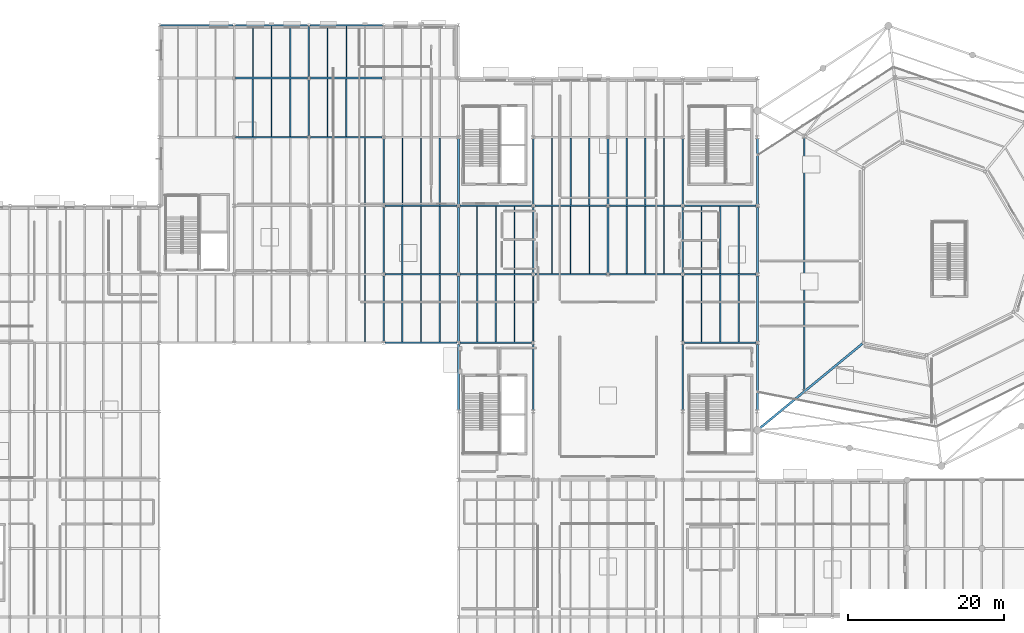
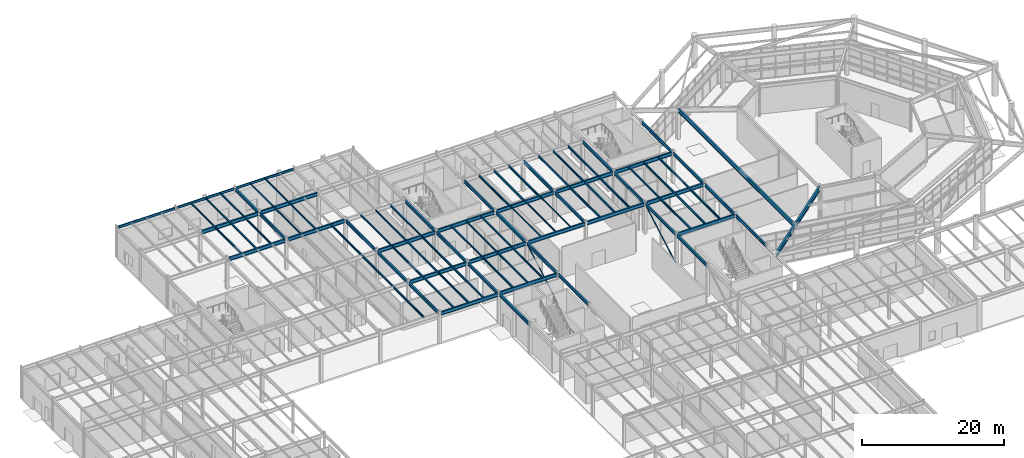
# One storey, part 24 of 70: 91 beams, 2 members.
"""IFC4 building model written with IfcOpenShell, lengths in metres."""

from ifc_helpers import new_model, si_unit, direction, frame, origin, origin_2d, place, context, subcontext, project, spatial, hollow_rectangle, hollow_circle, i_section, extrude, material, material_profile, profile_set, type_object, element, save


model = new_model("IFC4")

# Units and contexts
model_context = context("Model", 3, precision=1e-05, world=origin(), true_north=direction((0.0, 1.0)))
body_context = subcontext(model_context, "Body", "Model", "MODEL_VIEW")
ifc_project = project(units=[si_unit("LENGTHUNIT", "METRE"), si_unit("AREAUNIT", "SQUARE_METRE"), si_unit("VOLUMEUNIT", "CUBIC_METRE"), si_unit("PLANEANGLEUNIT", "RADIAN"), si_unit("MASSUNIT", "GRAM", prefix="KILO")], contexts=[model_context])

# Site, building, storey
site_placement = place(None, origin())
site = spatial("IfcSite", under=ifc_project, at=site_placement, CompositionType="ELEMENT")
building_placement = place(site_placement, origin())
building = spatial("IfcBuilding", under=site, at=building_placement, Name="Sarnbrook Museum", CompositionType="ELEMENT")
storey_placement = place(building_placement, origin())
storey = spatial("IfcBuildingStorey", under=building, at=storey_placement, Name="L00", CompositionType="ELEMENT", Elevation=0.0)

# Beams
ifc_material_1 = material(Name="Structural Steel Grade 300PLUS (AS/NZS 3679.1, fy = 280 MPa for 17 < t <= 40 mm, 300 MPa for t <= 17 mm)", Category="steel")
ifc_material_profile_1 = material_profile(ifc_material_1, i_section(OverallWidth=0.208984375, OverallDepth=0.532958984375, WebThickness=0.01025390625, FlangeThickness=0.015625, FilletRadius=0.013916015625, at=origin_2d()), Name="530UB92.4")
ifc_profile_set_1 = profile_set([ifc_material_profile_1], Name="Structural Steel Grade 300PLUS (AS/NZS 3679.1, fy = 280 MPa for 17 < t <= 40 mm, 300 MPa for t <= 17 mm)")
beam_type_1 = type_object("IfcBeamType", Name="BM-UB530", PredefinedType="BEAM", material=ifc_profile_set_1)
beam_1_placement = place(storey_placement, frame((61.60009765625, 100.990966796875, 5.013427734375), z_axis=(0.0, 1.0, 0.0), x_axis=(-1.0, 0.0, 0.0)))
element("IfcBeam", 1, at=beam_1_placement, inside=storey, type_object=beam_type_1, Name="Girder 7:M-N L00", PredefinedType="BEAM", context=body_context, shape_type="SweptSolid", body=[
    extrude(i_section(OverallWidth=0.208984375, OverallDepth=0.532958984375, WebThickness=0.01025390625, FlangeThickness=0.015625, FilletRadius=0.013916015625, at=origin_2d()), origin(), (0.0, 0.0, 1.0), 7.218017578125),
])
beam_2_placement = place(storey_placement, frame((61.60009765625, 108.591064453125, 5.013427734375), z_axis=(0.0, 1.0, 0.0), x_axis=(-1.0, 0.0, 0.0)))
element("IfcBeam", 2, at=beam_2_placement, inside=storey, type_object=beam_type_1, Name="Girder 7:N-P L00", PredefinedType="BEAM", context=body_context, shape_type="SweptSolid", body=[
    extrude(i_section(OverallWidth=0.208984375, OverallDepth=0.532958984375, WebThickness=0.01025390625, FlangeThickness=0.015625, FilletRadius=0.013916015625, at=origin_2d()), origin(), (0.0, 0.0, 1.0), 6.445556640625),
])
for number, where, z_axis, x_axis, name in (
    (3, (71.199951171875, 74.591064453125, 5.013427734375), (0.0, 1.0, 0.0), (-1.0, 0.0, 0.0), "Girder 8:J-K L00"),
    (4, (71.199951171875, 83.39111328125, 5.013427734375), (0.0, 1.0, 0.0), (-1.0, 0.0, 0.0), "Girder 8:K-L L00"),
    (5, (71.199951171875, 92.19091796875, 5.013427734375), (0.0, 1.0, 0.0), (-1.0, 0.0, 0.0), "Girder 8:L-M L00"),
    (6, (80.800048828125, 65.791015625, 5.08349609375), (0.0, 1.0, 0.0), (-1.0, 0.0, 0.0), "Girder 9:H-J L00"),
    (7, (80.800048828125, 74.591064453125, 5.013427734375), (0.0, 1.0, 0.0), (-1.0, 0.0, 0.0), "Girder 9:J-K L00"),
    (8, (80.800048828125, 83.39111328125, 5.013427734375), (0.0, 1.0, 0.0), (-1.0, 0.0, 0.0), "Girder 9:K-L L00"),
    (9, (80.800048828125, 92.19091796875, 5.013427734375), (0.0, 1.0, 0.0), (-1.0, 0.0, 0.0), "Girder 9:L-M L00"),
    (10, (90.39990234375, 65.791015625, 5.08349609375), (0.0, 1.0, 0.0), (-1.0, 0.0, 0.0), "Girder 10:H-J L00"),
    (11, (90.39990234375, 74.591064453125, 5.08349609375), (0.0, 1.0, 0.0), (-1.0, 0.0, 0.0), "Girder 10:J-K L00"),
    (12, (90.39990234375, 83.39111328125, 5.08349609375), (0.0, 1.0, 0.0), (-1.0, 0.0, 0.0), "Girder 10:K-L L00"),
    (13, (90.39990234375, 92.19091796875, 5.08349609375), (0.0, 1.0, 0.0), (-1.0, 0.0, 0.0), "Girder 10:L-M L00"),
    (14, (100.0, 83.39111328125, 5.08349609375), (0.0, 1.0, 0.0), (-1.0, 0.0, 0.0), "Girder 11:K-L L00"),
    (15, (100.0, 92.19091796875, 5.08349609375), (0.0, 1.0, 0.0), (-1.0, 0.0, 0.0), "Girder 11:L-M L00"),
    (16, (109.60009765625, 65.791015625, 5.08349609375), (0.0, 1.0, 0.0), (-1.0, 0.0, 0.0), "Girder 12:H-J L00"),
    (17, (109.60009765625, 74.591064453125, 5.08349609375), (0.0, 1.0, 0.0), (-1.0, 0.0, 0.0), "Girder 12:J-K L00"),
    (18, (109.60009765625, 83.39111328125, 5.08349609375), (0.0, 1.0, 0.0), (-1.0, 0.0, 0.0), "Girder 12:K-L L00"),
    (19, (109.60009765625, 92.19091796875, 5.08349609375), (0.0, 1.0, 0.0), (-1.0, 0.0, 0.0), "Girder 12:L-M L00"),
    (20, (119.199951171875, 65.791015625, 5.073486328125), (0.0, 1.0, 0.0), (-1.0, 0.0, 0.0), "Girder 13:H-J L00"),
    (21, (119.199951171875, 74.591064453125, 5.073486328125), (0.0, 1.0, 0.0), (-1.0, 0.0, 0.0), "Girder 13:J-K L00"),
    (22, (119.199951171875, 83.39111328125, 5.073486328125), (0.0, 1.0, 0.0), (-1.0, 0.0, 0.0), "Girder 13:K-L L00"),
    (23, (119.199951171875, 92.19091796875, 5.073486328125), (0.0, 1.0, 0.0), (-1.0, 0.0, 0.0), "Girder 13:L-M L00"),
):
    element("IfcBeam", number, at=place(storey_placement, frame(where, z_axis=z_axis, x_axis=x_axis)), inside=storey, type_object=beam_type_1, Name=name, PredefinedType="BEAM", context=body_context, shape_type="SweptSolid", body=[
        extrude(i_section(OverallWidth=0.208984375, OverallDepth=0.532958984375, WebThickness=0.01025390625, FlangeThickness=0.015625, FilletRadius=0.013916015625, at=origin_2d()), origin(), (0.0, 0.0, 1.0), 8.41796875),
    ])
ifc_material_profile_2 = material_profile(ifc_material_1, i_section(OverallWidth=0.22900390625, OverallDepth=0.612060546875, WebThickness=0.011962890625, FlangeThickness=0.01953125, FilletRadius=0.013916015625, at=origin_2d()), Name="610UB125")
ifc_profile_set_2 = profile_set([ifc_material_profile_2], Name="Structural Steel Grade 300PLUS (AS/NZS 3679.1, fy = 280 MPa for 17 < t <= 40 mm, 300 MPa for t <= 17 mm)")
beam_type_2 = type_object("IfcBeamType", Name="BM-UB610H", PredefinedType="BEAM", material=ifc_profile_set_2)
beam_3_placement = place(storey_placement, frame((71.39990234375, 74.39990234375, 4.97412109375), z_axis=(1.0, 0.0, 0.0), x_axis=(0.0, 1.0, 0.0)))
element("IfcBeam", 24, at=beam_3_placement, inside=storey, type_object=beam_type_2, Name="Girder J:8-9 L00", PredefinedType="BEAM", context=body_context, shape_type="SweptSolid", body=[
    extrude(i_section(OverallWidth=0.22900390625, OverallDepth=0.612060546875, WebThickness=0.011962890625, FlangeThickness=0.01953125, FilletRadius=0.013916015625, at=origin_2d()), origin(), (0.0, 0.0, 1.0), 9.2001953125),
])
for number, where, z_axis, x_axis, name in (
    (25, (81.0, 74.39990234375, 5.0439453125), (1.0, 0.0, 0.0), (0.0, 1.0, 0.0), "Girder J:9-10 L00"),
    (26, (109.800048828125, 74.39990234375, 5.0439453125), (1.0, 0.0, 0.0), (0.0, 1.0, 0.0), "Girder J:12-13 L00"),
):
    element("IfcBeam", number, at=place(storey_placement, frame(where, z_axis=z_axis, x_axis=x_axis)), inside=storey, type_object=beam_type_2, Name=name, PredefinedType="BEAM", context=body_context, shape_type="SweptSolid", body=[
        extrude(i_section(OverallWidth=0.22900390625, OverallDepth=0.612060546875, WebThickness=0.011962890625, FlangeThickness=0.01953125, FilletRadius=0.013916015625, at=origin_2d()), origin(), (0.0, 0.0, 1.0), 9.199951171875),
    ])
beam_4_placement = place(storey_placement, frame((71.39990234375, 83.199951171875, 4.97412109375), z_axis=(1.0, 0.0, 0.0), x_axis=(0.0, 1.0, 0.0)))
element("IfcBeam", 27, at=beam_4_placement, inside=storey, type_object=beam_type_2, Name="Girder K:8-9 L00", PredefinedType="BEAM", context=body_context, shape_type="SweptSolid", body=[
    extrude(i_section(OverallWidth=0.22900390625, OverallDepth=0.612060546875, WebThickness=0.011962890625, FlangeThickness=0.01953125, FilletRadius=0.013916015625, at=origin_2d()), origin(), (0.0, 0.0, 1.0), 9.2001953125),
])
for number, where, z_axis, x_axis, name in (
    (28, (81.0, 83.199951171875, 5.0439453125), (1.0, 0.0, 0.0), (0.0, 1.0, 0.0), "Girder K:9-10 L00"),
    (29, (90.60009765625, 83.199951171875, 5.0439453125), (1.0, 0.0, 0.0), (0.0, 1.0, 0.0), "Girder K:10-11 L00"),
    (30, (100.199951171875, 83.199951171875, 5.0439453125), (1.0, 0.0, 0.0), (0.0, 1.0, 0.0), "Girder K:11-12 L00"),
    (31, (109.800048828125, 83.199951171875, 5.0439453125), (1.0, 0.0, 0.0), (0.0, 1.0, 0.0), "Girder K:12-13 L00"),
):
    element("IfcBeam", number, at=place(storey_placement, frame(where, z_axis=z_axis, x_axis=x_axis)), inside=storey, type_object=beam_type_2, Name=name, PredefinedType="BEAM", context=body_context, shape_type="SweptSolid", body=[
        extrude(i_section(OverallWidth=0.22900390625, OverallDepth=0.612060546875, WebThickness=0.011962890625, FlangeThickness=0.01953125, FilletRadius=0.013916015625, at=origin_2d()), origin(), (0.0, 0.0, 1.0), 9.199951171875),
    ])
beam_5_placement = place(storey_placement, frame((71.39990234375, 92.0, 4.97412109375), z_axis=(1.0, 0.0, 0.0), x_axis=(0.0, 1.0, 0.0)))
element("IfcBeam", 32, at=beam_5_placement, inside=storey, type_object=beam_type_2, Name="Girder L:8-9 L00", PredefinedType="BEAM", context=body_context, shape_type="SweptSolid", body=[
    extrude(i_section(OverallWidth=0.22900390625, OverallDepth=0.612060546875, WebThickness=0.011962890625, FlangeThickness=0.01953125, FilletRadius=0.013916015625, at=origin_2d()), origin(), (0.0, 0.0, 1.0), 9.2001953125),
])
for number, where, z_axis, x_axis, name in (
    (33, (81.0, 92.0, 5.0439453125), (1.0, 0.0, 0.0), (0.0, 1.0, 0.0), "Girder L:9-10 L00"),
    (34, (90.60009765625, 92.0, 5.0439453125), (1.0, 0.0, 0.0), (0.0, 1.0, 0.0), "Girder L:10-11 L00"),
    (35, (100.199951171875, 92.0, 5.0439453125), (1.0, 0.0, 0.0), (0.0, 1.0, 0.0), "Girder L:11-12 L00"),
    (36, (109.800048828125, 92.0, 5.0439453125), (1.0, 0.0, 0.0), (0.0, 1.0, 0.0), "Girder L:12-13 L00"),
    (37, (52.199951171875, 100.800048828125, 4.97412109375), (1.0, 0.0, 0.0), (0.0, 1.0, 0.0), "Girder M:6-7 L00"),
    (38, (61.800048828125, 100.800048828125, 4.97412109375), (1.0, 0.0, 0.0), (0.0, 1.0, 0.0), "Girder M:7-8 L00"),
    (39, (52.199951171875, 108.39990234375, 4.97412109375), (1.0, 0.0, 0.0), (0.0, 1.0, 0.0), "Girder N:6-7 L00"),
    (40, (61.800048828125, 108.39990234375, 4.97412109375), (1.0, 0.0, 0.0), (0.0, 1.0, 0.0), "Girder N:7-8 L00"),
):
    element("IfcBeam", number, at=place(storey_placement, frame(where, z_axis=z_axis, x_axis=x_axis)), inside=storey, type_object=beam_type_2, Name=name, PredefinedType="BEAM", context=body_context, shape_type="SweptSolid", body=[
        extrude(i_section(OverallWidth=0.22900390625, OverallDepth=0.612060546875, WebThickness=0.011962890625, FlangeThickness=0.01953125, FilletRadius=0.013916015625, at=origin_2d()), origin(), (0.0, 0.0, 1.0), 9.199951171875),
    ])
ifc_material_2 = material(Name="Structural Steel Grade 350L0 (AS/NZS 3678, fy = 340 MPa for 20 < t <= 40 mm)", Category="steel")
ifc_material_profile_3 = material_profile(ifc_material_2, i_section(OverallWidth=0.25, OverallDepth=0.699951171875, WebThickness=0.010009765625, FlangeThickness=0.01611328125, at=origin_2d()), Name="700WB130")
ifc_profile_set_3 = profile_set([ifc_material_profile_3], Name="Structural Steel Grade 350L0 (AS/NZS 3678, fy = 340 MPa for 20 < t <= 40 mm)")
beam_type_3 = type_object("IfcBeamType", Name="BM-WB700", PredefinedType="BEAM", material=ifc_profile_set_3)
beam_6_placement = place(storey_placement, frame((125.199951171875, 100.780517578125, 4.989990234375), z_axis=(0.0, -1.0, 0.0), x_axis=(1.0, 0.0, 0.0)))
element("IfcBeam", 41, at=beam_6_placement, inside=storey, type_object=beam_type_3, Name="Crystal Hall R1 Ring Girder 7 L00", PredefinedType="BEAM", context=body_context, shape_type="SweptSolid", body=[
    extrude(i_section(OverallWidth=0.25, OverallDepth=0.699951171875, WebThickness=0.010009765625, FlangeThickness=0.01611328125, at=origin_2d()), origin(), (0.0, 0.0, 1.0), 32.47705078125),
])
ifc_material_profile_4 = material_profile(ifc_material_2, i_section(OverallWidth=0.27490234375, OverallDepth=0.800048828125, WebThickness=0.010009765625, FlangeThickness=0.01611328125, at=origin_2d()), Name="800WB146")
ifc_profile_set_4 = profile_set([ifc_material_profile_4], Name="Structural Steel Grade 350L0 (AS/NZS 3678, fy = 340 MPa for 20 < t <= 40 mm)")
beam_type_4 = type_object("IfcBeamType", Name="CR-CANT", PredefinedType="BEAM", material=ifc_profile_set_4)
beam_7_placement = place(storey_placement, frame((132.70751953125, 74.328857421875, 4.93994140625), z_axis=(-0.771786843469, -0.635881331891, 0.0), x_axis=(0.635881331891, -0.771786843469, 0.0)))
element("IfcBeam", 42, at=beam_7_placement, inside=storey, type_object=beam_type_4, Name="Crystal Hall Radial Cantilever Girder 1 L00", PredefinedType="BEAM", context=body_context, shape_type="SweptSolid", body=[
    extrude(i_section(OverallWidth=0.27490234375, OverallDepth=0.800048828125, WebThickness=0.010009765625, FlangeThickness=0.01611328125, at=origin_2d()), origin(), (0.0, 0.0, 1.0), 17.351318359375),
])
ifc_material_profile_5 = material_profile(ifc_material_1, i_section(OverallWidth=0.134033203125, OverallDepth=0.20703125, WebThickness=0.00634765625, FlangeThickness=0.009521484375, FilletRadius=0.0087890625, at=origin_2d()), Name="200UB29.8")
ifc_profile_set_5 = profile_set([ifc_material_profile_5], Name="Structural Steel Grade 300PLUS (AS/NZS 3679.1, fy = 280 MPa for 17 < t <= 40 mm, 300 MPa for t <= 17 mm)")
beam_type_5 = type_object("IfcBeamType", Name="JS-UB200", PredefinedType="JOIST", material=ifc_profile_set_5)
for number, where, z_axis, x_axis, name in (
    (43, (64.0, 108.514404296875, 5.176513671875), (0.0, 1.0, 0.0), (-1.0, 0.0, 0.0), "Composite Floor Joist 7N-1 L00"),
    (44, (66.39990234375, 108.514404296875, 5.176513671875), (0.0, 1.0, 0.0), (-1.0, 0.0, 0.0), "Composite Floor Joist 7N-2 L00"),
):
    element("IfcBeam", number, at=place(storey_placement, frame(where, z_axis=z_axis, x_axis=x_axis)), inside=storey, type_object=beam_type_5, Name=name, PredefinedType="JOIST", context=body_context, shape_type="SweptSolid", body=[
        extrude(i_section(OverallWidth=0.134033203125, OverallDepth=0.20703125, WebThickness=0.00634765625, FlangeThickness=0.009521484375, FilletRadius=0.0087890625, at=origin_2d()), origin(), (0.0, 0.0, 1.0), 6.5966796875),
    ])
for number, where, z_axis, x_axis, name in (
    (45, (92.800048828125, 83.314453125, 5.24658203125), (0.0, 1.0, 0.0), (-1.0, 0.0, 0.0), "Composite Floor Joist 10K-1 L00"),
    (46, (95.199951171875, 83.314453125, 5.24658203125), (0.0, 1.0, 0.0), (-1.0, 0.0, 0.0), "Composite Floor Joist 10K-2 L00"),
    (47, (97.60009765625, 83.314453125, 5.24658203125), (0.0, 1.0, 0.0), (-1.0, 0.0, 0.0), "Composite Floor Joist 10K-3 L00"),
):
    element("IfcBeam", number, at=place(storey_placement, frame(where, z_axis=z_axis, x_axis=x_axis)), inside=storey, type_object=beam_type_5, Name=name, PredefinedType="JOIST", context=body_context, shape_type="SweptSolid", body=[
        extrude(i_section(OverallWidth=0.134033203125, OverallDepth=0.20703125, WebThickness=0.00634765625, FlangeThickness=0.009521484375, FilletRadius=0.0087890625, at=origin_2d()), origin(), (0.0, 0.0, 1.0), 8.571044921875),
    ])
ifc_material_profile_6 = material_profile(ifc_material_1, i_section(OverallWidth=0.14599609375, OverallDepth=0.256103515625, WebThickness=0.00634765625, FlangeThickness=0.010986328125, FilletRadius=0.0087890625, at=origin_2d()), Name="250UB37.3")
ifc_profile_set_6 = profile_set([ifc_material_profile_6], Name="Structural Steel Grade 300PLUS (AS/NZS 3679.1, fy = 280 MPa for 17 < t <= 40 mm, 300 MPa for t <= 17 mm)")
beam_type_6 = type_object("IfcBeamType", Name="JS-UB250", PredefinedType="JOIST", material=ifc_profile_set_6)
for number, where, z_axis, x_axis, name in (
    (48, (54.39990234375, 108.514404296875, 5.152099609375), (0.0, 1.0, 0.0), (-1.0, 0.0, 0.0), "Composite Floor Joist 6N-1 L00"),
    (49, (56.800048828125, 108.514404296875, 5.152099609375), (0.0, 1.0, 0.0), (-1.0, 0.0, 0.0), "Composite Floor Joist 6N-2 L00"),
    (50, (59.199951171875, 108.514404296875, 5.152099609375), (0.0, 1.0, 0.0), (-1.0, 0.0, 0.0), "Composite Floor Joist 6N-3 L00"),
):
    element("IfcBeam", number, at=place(storey_placement, frame(where, z_axis=z_axis, x_axis=x_axis)), inside=storey, type_object=beam_type_6, Name=name, PredefinedType="JOIST", context=body_context, shape_type="SweptSolid", body=[
        extrude(i_section(OverallWidth=0.14599609375, OverallDepth=0.256103515625, WebThickness=0.00634765625, FlangeThickness=0.010986328125, FilletRadius=0.0087890625, at=origin_2d()), origin(), (0.0, 0.0, 1.0), 6.5966796875),
    ])
for number, where, z_axis, x_axis, name in (
    (51, (64.0, 100.91455078125, 5.152099609375), (0.0, 1.0, 0.0), (-1.0, 0.0, 0.0), "Composite Floor Joist 7M-1 L00"),
    (52, (66.39990234375, 100.91455078125, 5.152099609375), (0.0, 1.0, 0.0), (-1.0, 0.0, 0.0), "Composite Floor Joist 7M-2 L00"),
):
    element("IfcBeam", number, at=place(storey_placement, frame(where, z_axis=z_axis, x_axis=x_axis)), inside=storey, type_object=beam_type_6, Name=name, PredefinedType="JOIST", context=body_context, shape_type="SweptSolid", body=[
        extrude(i_section(OverallWidth=0.14599609375, OverallDepth=0.256103515625, WebThickness=0.00634765625, FlangeThickness=0.010986328125, FilletRadius=0.0087890625, at=origin_2d()), origin(), (0.0, 0.0, 1.0), 7.370849609375),
    ])
for number, where, z_axis, x_axis, name in (
    (53, (73.60009765625, 92.114501953125, 5.152099609375), (0.0, 1.0, 0.0), (-1.0, 0.0, 0.0), "Composite Floor Joist 8L-1 L00"),
    (54, (76.0, 92.114501953125, 5.152099609375), (0.0, 1.0, 0.0), (-1.0, 0.0, 0.0), "Composite Floor Joist 8L-2 L00"),
    (55, (78.39990234375, 92.114501953125, 5.152099609375), (0.0, 1.0, 0.0), (-1.0, 0.0, 0.0), "Composite Floor Joist 8L-3 L00"),
    (56, (83.199951171875, 83.314453125, 5.221923828125), (0.0, 1.0, 0.0), (-1.0, 0.0, 0.0), "Composite Floor Joist 9K-1 L00"),
    (57, (85.60009765625, 83.314453125, 5.221923828125), (0.0, 1.0, 0.0), (-1.0, 0.0, 0.0), "Composite Floor Joist 9K-2 L00"),
    (58, (88.0, 83.314453125, 5.221923828125), (0.0, 1.0, 0.0), (-1.0, 0.0, 0.0), "Composite Floor Joist 9K-3 L00"),
):
    element("IfcBeam", number, at=place(storey_placement, frame(where, z_axis=z_axis, x_axis=x_axis)), inside=storey, type_object=beam_type_6, Name=name, PredefinedType="JOIST", context=body_context, shape_type="SweptSolid", body=[
        extrude(i_section(OverallWidth=0.14599609375, OverallDepth=0.256103515625, WebThickness=0.00634765625, FlangeThickness=0.010986328125, FilletRadius=0.0087890625, at=origin_2d()), origin(), (0.0, 0.0, 1.0), 8.571044921875),
    ])
ifc_material_profile_7 = material_profile(ifc_material_1, i_section(OverallWidth=0.1650390625, OverallDepth=0.303955078125, WebThickness=0.006103515625, FlangeThickness=0.01025390625, FilletRadius=0.011474609375, at=origin_2d()), Name="310UB40.4")
ifc_profile_set_7 = profile_set([ifc_material_profile_7], Name="Structural Steel Grade 300PLUS (AS/NZS 3679.1, fy = 280 MPa for 17 < t <= 40 mm, 300 MPa for t <= 17 mm)")
beam_type_7 = type_object("IfcBeamType", Name="JS-UB310", PredefinedType="JOIST", material=ifc_profile_set_7)
for number, where, z_axis, x_axis, name in (
    (59, (54.39990234375, 100.91455078125, 5.1279296875), (0.0, 1.0, 0.0), (-1.0, 0.0, 0.0), "Composite Floor Joist 6M-1 L00"),
    (60, (56.800048828125, 100.91455078125, 5.1279296875), (0.0, 1.0, 0.0), (-1.0, 0.0, 0.0), "Composite Floor Joist 6M-2 L00"),
    (61, (59.199951171875, 100.91455078125, 5.1279296875), (0.0, 1.0, 0.0), (-1.0, 0.0, 0.0), "Composite Floor Joist 6M-3 L00"),
):
    element("IfcBeam", number, at=place(storey_placement, frame(where, z_axis=z_axis, x_axis=x_axis)), inside=storey, type_object=beam_type_7, Name=name, PredefinedType="JOIST", context=body_context, shape_type="SweptSolid", body=[
        extrude(i_section(OverallWidth=0.1650390625, OverallDepth=0.303955078125, WebThickness=0.006103515625, FlangeThickness=0.01025390625, FilletRadius=0.011474609375, at=origin_2d()), origin(), (0.0, 0.0, 1.0), 7.370849609375),
    ])
for number, where, z_axis, x_axis, name in (
    (62, (68.800048828125, 92.114501953125, 5.1279296875), (0.0, 1.0, 0.0), (-1.0, 0.0, 0.0), "Composite Floor Joist 7L-3 L00"),
    (63, (73.60009765625, 83.314453125, 5.1279296875), (0.0, 1.0, 0.0), (-1.0, 0.0, 0.0), "Composite Floor Joist 8K-1 L00"),
    (64, (76.0, 83.314453125, 5.1279296875), (0.0, 1.0, 0.0), (-1.0, 0.0, 0.0), "Composite Floor Joist 8K-2 L00"),
    (65, (78.39990234375, 83.314453125, 5.1279296875), (0.0, 1.0, 0.0), (-1.0, 0.0, 0.0), "Composite Floor Joist 8K-3 L00"),
    (66, (83.199951171875, 74.514404296875, 5.197998046875), (0.0, 1.0, 0.0), (-1.0, 0.0, 0.0), "Composite Floor Joist 9J-1 L00"),
    (67, (85.60009765625, 74.514404296875, 5.197998046875), (0.0, 1.0, 0.0), (-1.0, 0.0, 0.0), "Composite Floor Joist 9J-2 L00"),
    (68, (88.0, 74.514404296875, 5.197998046875), (0.0, 1.0, 0.0), (-1.0, 0.0, 0.0), "Composite Floor Joist 9J-3 L00"),
):
    element("IfcBeam", number, at=place(storey_placement, frame(where, z_axis=z_axis, x_axis=x_axis)), inside=storey, type_object=beam_type_7, Name=name, PredefinedType="JOIST", context=body_context, shape_type="SweptSolid", body=[
        extrude(i_section(OverallWidth=0.1650390625, OverallDepth=0.303955078125, WebThickness=0.006103515625, FlangeThickness=0.01025390625, FilletRadius=0.011474609375, at=origin_2d()), origin(), (0.0, 0.0, 1.0), 8.571044921875),
    ])
ifc_material_profile_8 = material_profile(ifc_material_1, i_section(OverallWidth=0.166015625, OverallDepth=0.306884765625, WebThickness=0.006591796875, FlangeThickness=0.01171875, FilletRadius=0.011474609375, at=origin_2d()), Name="310UB46.2")
ifc_profile_set_8 = profile_set([ifc_material_profile_8], Name="Structural Steel Grade 300PLUS (AS/NZS 3679.1, fy = 280 MPa for 17 < t <= 40 mm, 300 MPa for t <= 17 mm)")
beam_type_8 = type_object("IfcBeamType", Name="JS-UB310H", PredefinedType="JOIST", material=ifc_profile_set_8)
for number, where, z_axis, x_axis, name in (
    (69, (68.800048828125, 83.314453125, 5.12646484375), (0.0, 1.0, 0.0), (-1.0, 0.0, 0.0), "Composite Floor Joist 7K-3 L00"),
    (70, (73.60009765625, 74.514404296875, 5.12646484375), (0.0, 1.0, 0.0), (-1.0, 0.0, 0.0), "Composite Floor Joist 8J-1 L00"),
    (71, (76.0, 74.514404296875, 5.12646484375), (0.0, 1.0, 0.0), (-1.0, 0.0, 0.0), "Composite Floor Joist 8J-2 L00"),
    (72, (78.39990234375, 74.514404296875, 5.12646484375), (0.0, 1.0, 0.0), (-1.0, 0.0, 0.0), "Composite Floor Joist 8J-3 L00"),
    (73, (102.39990234375, 92.114501953125, 5.196533203125), (0.0, 1.0, 0.0), (-1.0, 0.0, 0.0), "Composite Floor Joist 11L-1 L00"),
    (74, (104.800048828125, 92.114501953125, 5.196533203125), (0.0, 1.0, 0.0), (-1.0, 0.0, 0.0), "Composite Floor Joist 11L-2 L00"),
    (75, (107.199951171875, 92.114501953125, 5.196533203125), (0.0, 1.0, 0.0), (-1.0, 0.0, 0.0), "Composite Floor Joist 11L-3 L00"),
    (76, (112.0, 83.314453125, 5.196533203125), (0.0, 1.0, 0.0), (-1.0, 0.0, 0.0), "Composite Floor Joist 12K-1 L00"),
    (77, (114.39990234375, 83.314453125, 5.196533203125), (0.0, 1.0, 0.0), (-1.0, 0.0, 0.0), "Composite Floor Joist 12K-2 L00"),
    (78, (116.800048828125, 83.314453125, 5.196533203125), (0.0, 1.0, 0.0), (-1.0, 0.0, 0.0), "Composite Floor Joist 12K-3 L00"),
):
    element("IfcBeam", number, at=place(storey_placement, frame(where, z_axis=z_axis, x_axis=x_axis)), inside=storey, type_object=beam_type_8, Name=name, PredefinedType="JOIST", context=body_context, shape_type="SweptSolid", body=[
        extrude(i_section(OverallWidth=0.166015625, OverallDepth=0.306884765625, WebThickness=0.006591796875, FlangeThickness=0.01171875, FilletRadius=0.011474609375, at=origin_2d()), origin(), (0.0, 0.0, 1.0), 8.571044921875),
    ])
ifc_material_profile_9 = material_profile(ifc_material_1, i_section(OverallWidth=0.1708984375, OverallDepth=0.35595703125, WebThickness=0.00732421875, FlangeThickness=0.011474609375, FilletRadius=0.011474609375, at=origin_2d()), Name="360UB50.7")
ifc_profile_set_9 = profile_set([ifc_material_profile_9], Name="Structural Steel Grade 300PLUS (AS/NZS 3679.1, fy = 280 MPa for 17 < t <= 40 mm, 300 MPa for t <= 17 mm)")
beam_type_9 = type_object("IfcBeamType", Name="JS-UB360", PredefinedType="JOIST", material=ifc_profile_set_9)
for number, where, z_axis, x_axis, name in (
    (79, (68.800048828125, 74.514404296875, 5.10205078125), (0.0, 1.0, 0.0), (-1.0, 0.0, 0.0), "Composite Floor Joist 7J-3 L00"),
    (80, (92.800048828125, 92.114501953125, 5.172119140625), (0.0, 1.0, 0.0), (-1.0, 0.0, 0.0), "Composite Floor Joist 10L-1 L00"),
    (81, (95.199951171875, 92.114501953125, 5.172119140625), (0.0, 1.0, 0.0), (-1.0, 0.0, 0.0), "Composite Floor Joist 10L-2 L00"),
    (82, (97.60009765625, 92.114501953125, 5.172119140625), (0.0, 1.0, 0.0), (-1.0, 0.0, 0.0), "Composite Floor Joist 10L-3 L00"),
    (83, (102.39990234375, 83.314453125, 5.172119140625), (0.0, 1.0, 0.0), (-1.0, 0.0, 0.0), "Composite Floor Joist 11K-1 L00"),
    (84, (104.800048828125, 83.314453125, 5.172119140625), (0.0, 1.0, 0.0), (-1.0, 0.0, 0.0), "Composite Floor Joist 11K-2 L00"),
    (85, (107.199951171875, 83.314453125, 5.172119140625), (0.0, 1.0, 0.0), (-1.0, 0.0, 0.0), "Composite Floor Joist 11K-3 L00"),
    (86, (112.0, 74.514404296875, 5.172119140625), (0.0, 1.0, 0.0), (-1.0, 0.0, 0.0), "Composite Floor Joist 12J-1 L00"),
    (87, (114.39990234375, 74.514404296875, 5.172119140625), (0.0, 1.0, 0.0), (-1.0, 0.0, 0.0), "Composite Floor Joist 12J-2 L00"),
    (88, (116.800048828125, 74.514404296875, 5.172119140625), (0.0, 1.0, 0.0), (-1.0, 0.0, 0.0), "Composite Floor Joist 12J-3 L00"),
):
    element("IfcBeam", number, at=place(storey_placement, frame(where, z_axis=z_axis, x_axis=x_axis)), inside=storey, type_object=beam_type_9, Name=name, PredefinedType="JOIST", context=body_context, shape_type="SweptSolid", body=[
        extrude(i_section(OverallWidth=0.1708984375, OverallDepth=0.35595703125, WebThickness=0.00732421875, FlangeThickness=0.011474609375, FilletRadius=0.011474609375, at=origin_2d()), origin(), (0.0, 0.0, 1.0), 8.571044921875),
    ])

# Members
ifc_material_3 = material(Name="Structural Steel Hollow Section Grade C350L0 (AS/NZS 1163, fy = 350 MPa)", Category="steel")
ifc_material_profile_10 = material_profile(ifc_material_3, hollow_circle(Radius=0.084228515625, WallThickness=0.007080078125, at=origin_2d()), Name="168.3x7.1CHS")
ifc_profile_set_10 = profile_set([ifc_material_profile_10], Name="Structural Steel Hollow Section Grade C350L0 (AS/NZS 1163, fy = 350 MPa)")
member_type_1 = type_object("IfcMemberType", Name="MB-CHS168", PredefinedType="BRACE", material=ifc_profile_set_10)
member_1_placement = place(storey_placement, frame((90.39990234375, 74.580078125, 0.1201171875), z_axis=(0.0, 0.867932423691, 0.496682300778), x_axis=(-1.0, 0.0, 0.0)))
element("IfcMember", 89, at=member_1_placement, inside=storey, type_object=member_type_1, Name="Lateral Diagonal Brace CBF-3 L00", PredefinedType="BRACE", context=body_context, shape_type="SweptSolid", body=[
    extrude(hollow_circle(Radius=0.084228515625, WallThickness=0.007080078125, at=origin_2d()), origin(), (0.0, 0.0, 1.0), 9.72412109375),
])
ifc_material_profile_11 = material_profile(ifc_material_3, hollow_rectangle(XDim=0.125, YDim=0.125, WallThickness=0.008056640625, at=origin_2d()), Name="125x125x8.0SHS")
ifc_profile_set_11 = profile_set([ifc_material_profile_11], Name="Structural Steel Hollow Section Grade C350L0 (AS/NZS 1163, fy = 350 MPa)")
member_type_2 = type_object("IfcMemberType", Name="MB-SHS125", PredefinedType="BRACE", material=ifc_profile_set_11)
member_2_placement = place(storey_placement, frame((109.60009765625, 74.580078125, 0.1201171875), z_axis=(0.0, 0.867932423691, 0.496682300778), x_axis=(-1.0, 0.0, 0.0)))
element("IfcMember", 90, at=member_2_placement, inside=storey, type_object=member_type_2, Name="Lateral Diagonal Brace CBF-4 L00", PredefinedType="BRACE", context=body_context, shape_type="SweptSolid", body=[
    extrude(hollow_rectangle(XDim=0.125, YDim=0.125, WallThickness=0.008056640625, at=origin_2d()), origin(), (0.0, 0.0, 1.0), 9.72412109375),
])

# Beams
ifc_material_profile_12 = material_profile(ifc_material_1, i_section(OverallWidth=0.177978515625, OverallDepth=0.406005859375, WebThickness=0.0078125, FlangeThickness=0.0126953125, FilletRadius=0.011474609375, at=origin_2d()), Name="410UB59.7")
ifc_profile_set_12 = profile_set([ifc_material_profile_12], Name="Structural Steel Grade 300PLUS (AS/NZS 3679.1, fy = 280 MPa for 17 < t <= 40 mm, 300 MPa for t <= 17 mm)")
beam_type_10 = type_object("IfcBeamType", Name="SP-UB410", PredefinedType="SPANDREL", material=ifc_profile_set_12)
for number, where, z_axis, x_axis, name in (
    (91, (42.555419921875, 115.199951171875, 5.076904296875), (1.0, 0.0, 0.0), (0.0, 1.0, 0.0), "Girder P:5-6 L00"),
    (92, (52.155517578125, 115.199951171875, 5.076904296875), (1.0, 0.0, 0.0), (0.0, 1.0, 0.0), "Girder P:6-7 L00"),
):
    element("IfcBeam", number, at=place(storey_placement, frame(where, z_axis=z_axis, x_axis=x_axis)), inside=storey, type_object=beam_type_10, Name=name, PredefinedType="SPANDREL", context=body_context, shape_type="SweptSolid", body=[
        extrude(i_section(OverallWidth=0.177978515625, OverallDepth=0.406005859375, WebThickness=0.0078125, FlangeThickness=0.0126953125, FilletRadius=0.011474609375, at=origin_2d()), origin(), (0.0, 0.0, 1.0), 9.2890625),
    ])
beam_8_placement = place(storey_placement, frame((61.755615234375, 115.199951171875, 5.076904296875), z_axis=(1.0, 0.0, 0.0), x_axis=(0.0, 1.0, 0.0)))
element("IfcBeam", 93, at=beam_8_placement, inside=storey, type_object=beam_type_10, Name="Girder P:7-8 L00", PredefinedType="SPANDREL", context=body_context, shape_type="SweptSolid", body=[
    extrude(i_section(OverallWidth=0.177978515625, OverallDepth=0.406005859375, WebThickness=0.0078125, FlangeThickness=0.0126953125, FilletRadius=0.011474609375, at=origin_2d()), origin(), (0.0, 0.0, 1.0), 9.288818359375),
])

save(model, "model.ifc")
